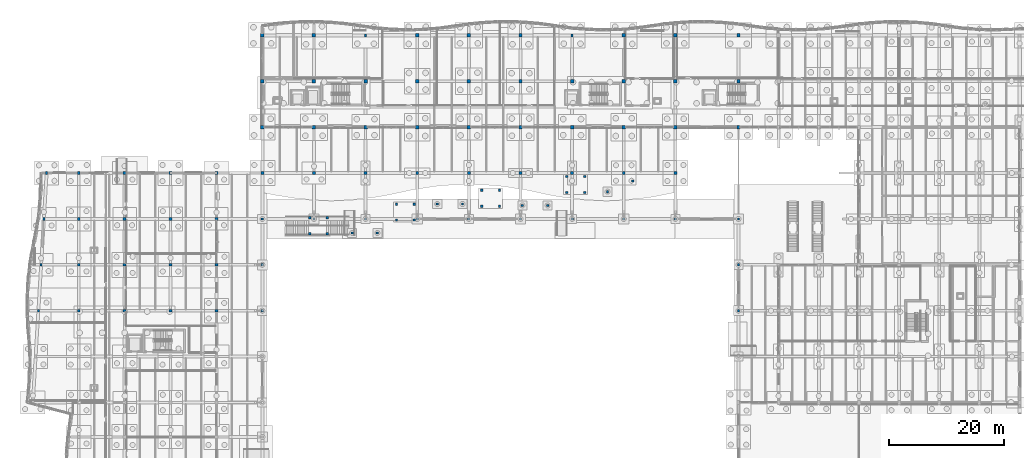
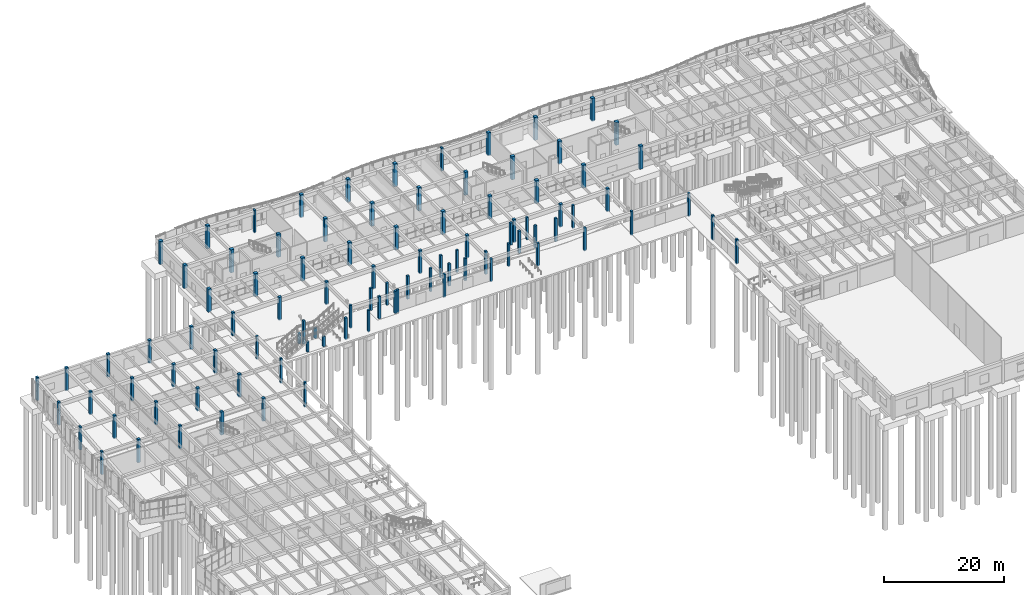
# One storey, part 11 of 99: 97 columns.
"""IFC4 building model written with IfcOpenShell, lengths in metres."""

from ifc_helpers import new_model, si_unit, direction, frame, origin, origin_2d, place, context, subcontext, project, spatial, rectangle, extrude, material, material_profile, profile_set, type_object, element, save


model = new_model("IFC4")

# Units and contexts
model_context = context("Model", 3, precision=1e-05, world=origin(), true_north=direction((0.0, 1.0)))
body_context = subcontext(model_context, "Body", "Model", "MODEL_VIEW")
ifc_project = project(units=[si_unit("LENGTHUNIT", "METRE"), si_unit("AREAUNIT", "SQUARE_METRE"), si_unit("VOLUMEUNIT", "CUBIC_METRE"), si_unit("PLANEANGLEUNIT", "RADIAN"), si_unit("MASSUNIT", "GRAM", prefix="KILO")], contexts=[model_context])

# Site, building, storey
site_placement = place(None, origin())
site = spatial("IfcSite", under=ifc_project, at=site_placement, CompositionType="ELEMENT")
building_placement = place(site_placement, origin())
building = spatial("IfcBuilding", under=site, at=building_placement, Name="Tonlespit Floodbar School", CompositionType="ELEMENT")
storey_placement = place(building_placement, origin())
storey = spatial("IfcBuildingStorey", under=building, at=storey_placement, Name="L00", CompositionType="ELEMENT", Elevation=0.0)

# Columns
ifc_material = material(Name="Concrete C40/50", Category="concrete")
ifc_material_profile_1 = material_profile(ifc_material, rectangle(XDim=0.39990234375, YDim=0.39990234375, at=origin_2d()), Name="RC 400x400")
ifc_profile_set_1 = profile_set([ifc_material_profile_1], Name="Concrete C40/50")
column_type_1 = type_object("IfcColumnType", Name="Column_RC_400x400", PredefinedType="COLUMN", material=ifc_profile_set_1)
for number, where, z_axis, x_axis, name in (
    (1, (44.0, 72.0, -0.199951171875), (0.0, 0.0, 1.0), (1.0, 0.0, 0.0), "L00 column U06/V11"),
    (2, (44.0, 80.0, -0.199951171875), (0.0, 0.0, 1.0), (1.0, 0.0, 0.0), "L00 column U06/V12"),
):
    element("IfcColumn", number, at=place(storey_placement, frame(where, z_axis=z_axis, x_axis=x_axis)), inside=storey, type_object=column_type_1, Name=name, PredefinedType="COLUMN", context=body_context, shape_type="SweptSolid", body=[
        extrude(rectangle(XDim=0.39990234375, YDim=0.39990234375, at=origin_2d()), origin(), (0.0, 0.0, 1.0), 5.047607421875),
    ])
for number, where, z_axis, x_axis, name in (
    (3, (44.0, 88.0, -0.199951171875), (0.0, 0.0, 1.0), (1.0, 0.0, 0.0), "L00 column U06/V13"),
    (4, (53.0, 88.0, -0.199951171875), (0.0, 0.0, 1.0), (1.0, 0.0, 0.0), "L00 column U07/V13"),
    (5, (62.0, 88.0, -0.199951171875), (0.0, 0.0, 1.0), (1.0, 0.0, 0.0), "L00 column U08/V13"),
    (6, (71.0, 88.0, -0.199951171875), (0.0, 0.0, 1.0), (1.0, 0.0, 0.0), "L00 column U09/V13"),
    (7, (80.0, 88.0, -0.199951171875), (0.0, 0.0, 1.0), (1.0, 0.0, 0.0), "L00 column U10/V13"),
    (8, (89.0, 88.0, -0.199951171875), (0.0, 0.0, 1.0), (1.0, 0.0, 0.0), "L00 column U11/V13"),
    (9, (98.0, 88.0, -0.199951171875), (0.0, 0.0, 1.0), (1.0, 0.0, 0.0), "L00 column U12/V13"),
    (10, (107.0, 88.0, -0.199951171875), (0.0, 0.0, 1.0), (1.0, 0.0, 0.0), "L00 column U13/V13"),
):
    element("IfcColumn", number, at=place(storey_placement, frame(where, z_axis=z_axis, x_axis=x_axis)), inside=storey, type_object=column_type_1, Name=name, PredefinedType="COLUMN", context=body_context, shape_type="SweptSolid", body=[
        extrude(rectangle(XDim=0.39990234375, YDim=0.39990234375, at=origin_2d()), origin(), (0.0, 0.0, 1.0), 4.699951171875),
    ])
column_1_placement = place(storey_placement, frame((116.0, 88.0, -0.199951171875), z_axis=(0.0, 0.0, 1.0), x_axis=(1.0, 0.0, 0.0)))
element("IfcColumn", 11, at=column_1_placement, inside=storey, type_object=column_type_1, Name="L00 column U14/V13", PredefinedType="COLUMN", context=body_context, shape_type="SweptSolid", body=[
    extrude(rectangle(XDim=0.39990234375, YDim=0.39990234375, at=origin_2d()), origin(), (0.0, 0.0, 1.0), 4.918701171875),
])
for number, where, z_axis, x_axis, name in (
    (12, (127.0, 72.0, -0.199951171875), (0.0, 0.0, 1.0), (1.0, 0.0, 0.0), "L00 column U15/V11"),
    (13, (127.0, 80.0, -0.199951171875), (0.0, 0.0, 1.0), (1.0, 0.0, 0.0), "L00 column U15/V12"),
):
    element("IfcColumn", number, at=place(storey_placement, frame(where, z_axis=z_axis, x_axis=x_axis)), inside=storey, type_object=column_type_1, Name=name, PredefinedType="COLUMN", context=body_context, shape_type="SweptSolid", body=[
        extrude(rectangle(XDim=0.39990234375, YDim=0.39990234375, at=origin_2d()), origin(), (0.0, 0.0, 1.0), 5.04296875),
    ])
column_2_placement = place(storey_placement, frame((127.0, 88.0, -0.199951171875), z_axis=(0.0, 0.0, 1.0), x_axis=(1.0, 0.0, 0.0)))
element("IfcColumn", 14, at=column_2_placement, inside=storey, type_object=column_type_1, Name="L00 column U15/V13", PredefinedType="COLUMN", context=body_context, shape_type="SweptSolid", body=[
    extrude(rectangle(XDim=0.39990234375, YDim=0.39990234375, at=origin_2d()), origin(), (0.0, 0.0, 1.0), 4.699951171875),
])
for number, where, z_axis, x_axis, name in (
    (15, (59.64990234375, 85.550048828125, -0.199951171875), (0.0, 0.0, 1.0), (1.0, 0.0, 0.0), "L00 courtyard amphitheatre column ST-CT1-P1"),
    (16, (64.050048828125, 85.550048828125, -0.199951171875), (0.0, 0.0, 1.0), (1.0, 0.0, 0.0), "L00 courtyard amphitheatre column ST-CT1-P2"),
):
    element("IfcColumn", number, at=place(storey_placement, frame(where, z_axis=z_axis, x_axis=x_axis)), inside=storey, type_object=column_type_1, Name=name, PredefinedType="COLUMN", context=body_context, shape_type="SweptSolid", body=[
        extrude(rectangle(XDim=0.39990234375, YDim=0.39990234375, at=origin_2d()), origin(), (0.0, 0.0, 1.0), 4.447998046875),
    ])
for number, where, z_axis, x_axis, name in (
    (17, (74.489990234375, 90.60009765625, -0.199951171875), (0.0, 0.0, 1.0), (1.0, 0.0, 0.0), "L00 courtyard amphitheatre column ST-CT2-P1"),
    (18, (78.889892578125, 90.60009765625, -0.199951171875), (0.0, 0.0, 1.0), (1.0, 0.0, 0.0), "L00 courtyard amphitheatre column ST-CT2-P2"),
    (19, (89.330078125, 90.35009765625, -0.199951171875), (0.0, 0.0, 1.0), (1.0, 0.0, 0.0), "L00 courtyard amphitheatre column ST-CT3-P1"),
    (20, (93.72998046875, 90.35009765625, -0.199951171875), (0.0, 0.0, 1.0), (1.0, 0.0, 0.0), "L00 courtyard amphitheatre column ST-CT3-P2"),
    (21, (104.169921875, 92.75, -0.199951171875), (0.0, 0.0, 1.0), (1.0, 0.0, 0.0), "L00 courtyard amphitheatre column ST-CT4-P1"),
    (22, (108.570068359375, 94.60009765625, -0.199951171875), (0.0, 0.0, 1.0), (1.0, 0.0, 0.0), "L00 courtyard amphitheatre column ST-CT4-P2"),
):
    element("IfcColumn", number, at=place(storey_placement, frame(where, z_axis=z_axis, x_axis=x_axis)), inside=storey, type_object=column_type_1, Name=name, PredefinedType="COLUMN", context=body_context, shape_type="SweptSolid", body=[
        extrude(rectangle(XDim=0.39990234375, YDim=0.39990234375, at=origin_2d()), origin(), (0.0, 0.0, 1.0), 4.699951171875),
    ])
for number, where, z_axis, x_axis, name in (
    (23, (52.239990234375, 85.419921875, 0.0), (0.0, 0.0, 1.0), (1.0, 0.0, 0.0), "L00 stair ST-CT1 landing column 1"),
    (24, (55.340087890625, 85.419921875, 0.0), (0.0, 0.0, 1.0), (1.0, 0.0, 0.0), "L00 stair ST-CT1 landing column 2"),
    (25, (55.340087890625, 88.179931640625, 0.0), (0.0, 0.0, 1.0), (1.0, 0.0, 0.0), "L00 stair ST-CT1 landing column 3"),
    (26, (52.239990234375, 88.179931640625, 0.0), (0.0, 0.0, 1.0), (1.0, 0.0, 0.0), "L00 stair ST-CT1 landing column 4"),
):
    element("IfcColumn", number, at=place(storey_placement, frame(where, z_axis=z_axis, x_axis=x_axis)), inside=storey, type_object=column_type_1, Name=name, PredefinedType="COLUMN", context=body_context, shape_type="SweptSolid", body=[
        extrude(rectangle(XDim=0.39990234375, YDim=0.39990234375, at=origin_2d()), origin(), (0.0, 0.0, 1.0), 2.050048828125),
    ])
for number, where, z_axis, x_axis, name in (
    (27, (67.39990234375, 87.820068359375, -0.0048828125), (0.0, 0.0, 1.0), (1.0, 0.0, 0.0), "L00 stair ST-CT2 landing column 1"),
    (28, (70.5, 87.820068359375, -0.0048828125), (0.0, 0.0, 1.0), (1.0, 0.0, 0.0), "L00 stair ST-CT2 landing column 2"),
    (29, (70.5, 90.580078125, -0.0048828125), (0.0, 0.0, 1.0), (1.0, 0.0, 0.0), "L00 stair ST-CT2 landing column 3"),
    (30, (67.39990234375, 90.580078125, -0.0048828125), (0.0, 0.0, 1.0), (1.0, 0.0, 0.0), "L00 stair ST-CT2 landing column 4"),
    (31, (82.239990234375, 90.219970703125, -0.0048828125), (0.0, 0.0, 1.0), (1.0, 0.0, 0.0), "L00 stair ST-CT3 landing column 1"),
    (32, (85.340087890625, 90.219970703125, -0.0048828125), (0.0, 0.0, 1.0), (1.0, 0.0, 0.0), "L00 stair ST-CT3 landing column 2"),
    (33, (85.340087890625, 92.97998046875, -0.0048828125), (0.0, 0.0, 1.0), (1.0, 0.0, 0.0), "L00 stair ST-CT3 landing column 3"),
    (34, (82.239990234375, 92.97998046875, -0.0048828125), (0.0, 0.0, 1.0), (1.0, 0.0, 0.0), "L00 stair ST-CT3 landing column 4"),
    (35, (97.080078125, 92.6201171875, -0.0048828125), (0.0, 0.0, 1.0), (1.0, 0.0, 0.0), "L00 stair ST-CT4 landing column 1"),
    (36, (100.179931640625, 92.6201171875, -0.0048828125), (0.0, 0.0, 1.0), (1.0, 0.0, 0.0), "L00 stair ST-CT4 landing column 2"),
    (37, (100.179931640625, 95.3798828125, -0.0048828125), (0.0, 0.0, 1.0), (1.0, 0.0, 0.0), "L00 stair ST-CT4 landing column 3"),
    (38, (97.080078125, 95.3798828125, -0.0048828125), (0.0, 0.0, 1.0), (1.0, 0.0, 0.0), "L00 stair ST-CT4 landing column 4"),
):
    element("IfcColumn", number, at=place(storey_placement, frame(where, z_axis=z_axis, x_axis=x_axis)), inside=storey, type_object=column_type_1, Name=name, PredefinedType="COLUMN", context=body_context, shape_type="SweptSolid", body=[
        extrude(rectangle(XDim=0.39990234375, YDim=0.39990234375, at=origin_2d()), origin(), (0.0, 0.0, 1.0), 4.5048828125),
    ])
ifc_material_profile_2 = material_profile(ifc_material, rectangle(XDim=0.5, YDim=0.5, at=origin_2d()), Name="RC 500x500")
ifc_profile_set_2 = profile_set([ifc_material_profile_2], Name="Concrete C40/50")
column_type_2 = type_object("IfcColumnType", Name="Column_RC_500x500", PredefinedType="COLUMN", material=ifc_profile_set_2)
for number, where, z_axis, x_axis, name in (
    (39, (12.0, 72.0, -0.199951171875), (0.0, 0.0, 1.0), (1.0, 0.0, 0.0), "L00 column U02/V11"),
    (40, (12.0, 80.0, -0.199951171875), (0.0, 0.0, 1.0), (1.0, 0.0, 0.0), "L00 column U02/V12"),
    (41, (12.0, 88.0, -0.199951171875), (0.0, 0.0, 1.0), (1.0, 0.0, 0.0), "L00 column U02/V13"),
    (42, (12.0, 96.0, -0.199951171875), (0.0, 0.0, 1.0), (1.0, 0.0, 0.0), "L00 column U02/V14"),
    (43, (20.0, 72.0, -0.199951171875), (0.0, 0.0, 1.0), (1.0, 0.0, 0.0), "L00 column U03/V11"),
    (44, (20.0, 80.0, -0.199951171875), (0.0, 0.0, 1.0), (1.0, 0.0, 0.0), "L00 column U03/V12"),
    (45, (20.0, 88.0, -0.199951171875), (0.0, 0.0, 1.0), (1.0, 0.0, 0.0), "L00 column U03/V13"),
    (46, (20.0, 96.0, -0.199951171875), (0.0, 0.0, 1.0), (1.0, 0.0, 0.0), "L00 column U03/V14"),
    (47, (28.0, 72.0, -0.199951171875), (0.0, 0.0, 1.0), (1.0, 0.0, 0.0), "L00 column U04/V11"),
    (48, (28.0, 80.0, -0.199951171875), (0.0, 0.0, 1.0), (1.0, 0.0, 0.0), "L00 column U04/V12"),
    (49, (28.0, 88.0, -0.199951171875), (0.0, 0.0, 1.0), (1.0, 0.0, 0.0), "L00 column U04/V13"),
    (50, (28.0, 96.0, -0.199951171875), (0.0, 0.0, 1.0), (1.0, 0.0, 0.0), "L00 column U04/V14"),
    (51, (36.0, 72.0, -0.199951171875), (0.0, 0.0, 1.0), (1.0, 0.0, 0.0), "L00 column U05/V11"),
    (52, (36.0, 80.0, -0.199951171875), (0.0, 0.0, 1.0), (1.0, 0.0, 0.0), "L00 column U05/V12"),
    (53, (36.0, 88.0, -0.199951171875), (0.0, 0.0, 1.0), (1.0, 0.0, 0.0), "L00 column U05/V13"),
    (54, (36.0, 96.0, -0.199951171875), (0.0, 0.0, 1.0), (1.0, 0.0, 0.0), "L00 column U05/V14"),
    (55, (44.0, 96.0, -0.199951171875), (0.0, 0.0, 1.0), (1.0, 0.0, 0.0), "L00 column U06/V14"),
    (56, (53.0, 96.0, -0.199951171875), (0.0, 0.0, 1.0), (1.0, 0.0, 0.0), "L00 column U07/V14"),
    (57, (62.0, 96.0, -0.199951171875), (0.0, 0.0, 1.0), (1.0, 0.0, 0.0), "L00 column U08/V14"),
    (58, (71.0, 96.0, -0.199951171875), (0.0, 0.0, 1.0), (1.0, 0.0, 0.0), "L00 column U09/V14"),
    (59, (80.0, 96.0, -0.199951171875), (0.0, 0.0, 1.0), (1.0, 0.0, 0.0), "L00 column U10/V14"),
    (60, (89.0, 96.0, -0.199951171875), (0.0, 0.0, 1.0), (1.0, 0.0, 0.0), "L00 column U11/V14"),
    (61, (98.0, 96.0, -0.199951171875), (0.0, 0.0, 1.0), (1.0, 0.0, 0.0), "L00 column U12/V14"),
    (62, (107.0, 96.0, -0.199951171875), (0.0, 0.0, 1.0), (1.0, 0.0, 0.0), "L00 column U13/V14"),
    (63, (116.0, 96.0, -0.199951171875), (0.0, 0.0, 1.0), (1.0, 0.0, 0.0), "L00 column U14/V14"),
):
    element("IfcColumn", number, at=place(storey_placement, frame(where, z_axis=z_axis, x_axis=x_axis)), inside=storey, type_object=column_type_2, Name=name, PredefinedType="COLUMN", context=body_context, shape_type="SweptSolid", body=[
        extrude(rectangle(XDim=0.5, YDim=0.5, at=origin_2d()), origin(), (0.0, 0.0, 1.0), 4.699951171875),
    ])
ifc_material_profile_3 = material_profile(ifc_material, rectangle(XDim=0.60009765625, YDim=0.60009765625, at=origin_2d()), Name="RC 600x600")
ifc_profile_set_3 = profile_set([ifc_material_profile_3], Name="Concrete C40/50")
column_type_3 = type_object("IfcColumnType", Name="Column_RC_600x600", PredefinedType="COLUMN", material=ifc_profile_set_3)
for number, where, z_axis, x_axis, name in (
    (64, (44.0, 104.0, -0.199951171875), (0.0, 0.0, 1.0), (1.0, 0.0, 0.0), "L00 column U06/V15"),
    (65, (44.0, 112.0, -0.199951171875), (0.0, 0.0, 1.0), (1.0, 0.0, 0.0), "L00 column U06/V16"),
    (66, (44.0, 120.0, -0.199951171875), (0.0, 0.0, 1.0), (1.0, 0.0, 0.0), "L00 column U06/V17"),
    (67, (53.0, 104.0, -0.199951171875), (0.0, 0.0, 1.0), (1.0, 0.0, 0.0), "L00 column U07/V15"),
    (68, (53.0, 112.0, -0.199951171875), (0.0, 0.0, 1.0), (1.0, 0.0, 0.0), "L00 column U07/V16"),
    (69, (53.0, 120.0, -0.199951171875), (0.0, 0.0, 1.0), (1.0, 0.0, 0.0), "L00 column U07/V17"),
    (70, (62.0, 104.0, -0.199951171875), (0.0, 0.0, 1.0), (1.0, 0.0, 0.0), "L00 column U08/V15"),
    (71, (62.0, 112.0, -0.199951171875), (0.0, 0.0, 1.0), (1.0, 0.0, 0.0), "L00 column U08/V16"),
    (72, (71.0, 104.0, -0.199951171875), (0.0, 0.0, 1.0), (1.0, 0.0, 0.0), "L00 column U09/V15"),
    (73, (71.0, 112.0, -0.199951171875), (0.0, 0.0, 1.0), (1.0, 0.0, 0.0), "L00 column U09/V16"),
    (74, (71.0, 120.0, -0.199951171875), (0.0, 0.0, 1.0), (1.0, 0.0, 0.0), "L00 column U09/V17"),
    (75, (80.0, 104.0, -0.199951171875), (0.0, 0.0, 1.0), (1.0, 0.0, 0.0), "L00 column U10/V15"),
    (76, (80.0, 112.0, -0.199951171875), (0.0, 0.0, 1.0), (1.0, 0.0, 0.0), "L00 column U10/V16"),
    (77, (80.0, 120.0, -0.199951171875), (0.0, 0.0, 1.0), (1.0, 0.0, 0.0), "L00 column U10/V17"),
    (78, (89.0, 104.0, -0.199951171875), (0.0, 0.0, 1.0), (1.0, 0.0, 0.0), "L00 column U11/V15"),
    (79, (89.0, 112.0, -0.199951171875), (0.0, 0.0, 1.0), (1.0, 0.0, 0.0), "L00 column U11/V16"),
    (80, (89.0, 120.0, -0.199951171875), (0.0, 0.0, 1.0), (1.0, 0.0, 0.0), "L00 column U11/V17"),
    (81, (98.0, 104.0, -0.199951171875), (0.0, 0.0, 1.0), (1.0, 0.0, 0.0), "L00 column U12/V15"),
    (82, (98.0, 112.0, -0.199951171875), (0.0, 0.0, 1.0), (1.0, 0.0, 0.0), "L00 column U12/V16"),
    (83, (107.0, 104.0, -0.199951171875), (0.0, 0.0, 1.0), (1.0, 0.0, 0.0), "L00 column U13/V15"),
    (84, (107.0, 112.0, -0.199951171875), (0.0, 0.0, 1.0), (1.0, 0.0, 0.0), "L00 column U13/V16"),
    (85, (107.0, 120.0, -0.199951171875), (0.0, 0.0, 1.0), (1.0, 0.0, 0.0), "L00 column U13/V17"),
    (86, (116.0, 104.0, -0.199951171875), (0.0, 0.0, 1.0), (1.0, 0.0, 0.0), "L00 column U14/V15"),
    (87, (116.0, 112.0, -0.199951171875), (0.0, 0.0, 1.0), (1.0, 0.0, 0.0), "L00 column U14/V16"),
    (88, (116.0, 120.0, -0.199951171875), (0.0, 0.0, 1.0), (1.0, 0.0, 0.0), "L00 column U14/V17"),
    (89, (127.0, 104.0, -0.199951171875), (0.0, 0.0, 1.0), (1.0, 0.0, 0.0), "L00 column U15/V15"),
    (90, (127.0, 112.0, -0.199951171875), (0.0, 0.0, 1.0), (1.0, 0.0, 0.0), "L00 column U15/V16"),
    (91, (127.0, 120.0, -0.199951171875), (0.0, 0.0, 1.0), (1.0, 0.0, 0.0), "L00 column U15/V17"),
):
    element("IfcColumn", number, at=place(storey_placement, frame(where, z_axis=z_axis, x_axis=x_axis)), inside=storey, type_object=column_type_3, Name=name, PredefinedType="COLUMN", context=body_context, shape_type="SweptSolid", body=[
        extrude(rectangle(XDim=0.60009765625, YDim=0.60009765625, at=origin_2d()), origin(), (0.0, 0.0, 1.0), 4.699951171875),
    ])
ifc_material_profile_4 = material_profile(ifc_material, rectangle(XDim=0.35009765625, YDim=0.5, at=origin_2d()), Name="RC 350x500")
ifc_profile_set_4 = profile_set([ifc_material_profile_4], Name="Concrete C40/50")
column_type_4 = type_object("IfcColumnType", Name="Pilaster_RC_350x500", PredefinedType="PILASTER", material=ifc_profile_set_4)
for number, where, z_axis, x_axis, name in (
    (92, (4.9599609375, 72.0, -0.199951171875), (0.0, 0.0, 1.0), (1.0, 0.0, 0.0), "L00 column U01S/V11"),
    (93, (5.43994140625, 80.0, -0.199951171875), (0.0, 0.0, 1.0), (1.0, 0.0, 0.0), "L00 column U01S/V12"),
    (94, (5.919921875, 88.0, -0.199951171875), (0.0, 0.0, 1.0), (1.0, 0.0, 0.0), "L00 column U01S/V13"),
    (95, (6.39990234375, 96.0, -0.199951171875), (0.0, 0.0, 1.0), (1.0, 0.0, 0.0), "L00 column U01S/V14"),
    (96, (62.0, 120.0, -0.199951171875), (0.0, 0.0, 1.0), (1.0, 0.0, 0.0), "L00 column U08/V17"),
    (97, (98.0, 120.0, -0.199951171875), (0.0, 0.0, 1.0), (1.0, 0.0, 0.0), "L00 column U12/V17"),
):
    element("IfcColumn", number, at=place(storey_placement, frame(where, z_axis=z_axis, x_axis=x_axis)), inside=storey, type_object=column_type_4, Name=name, PredefinedType="PILASTER", context=body_context, shape_type="SweptSolid", body=[
        extrude(rectangle(XDim=0.35009765625, YDim=0.5, at=origin_2d()), origin(), (0.0, 0.0, 1.0), 4.699951171875),
    ])

save(model, "model.ifc")
